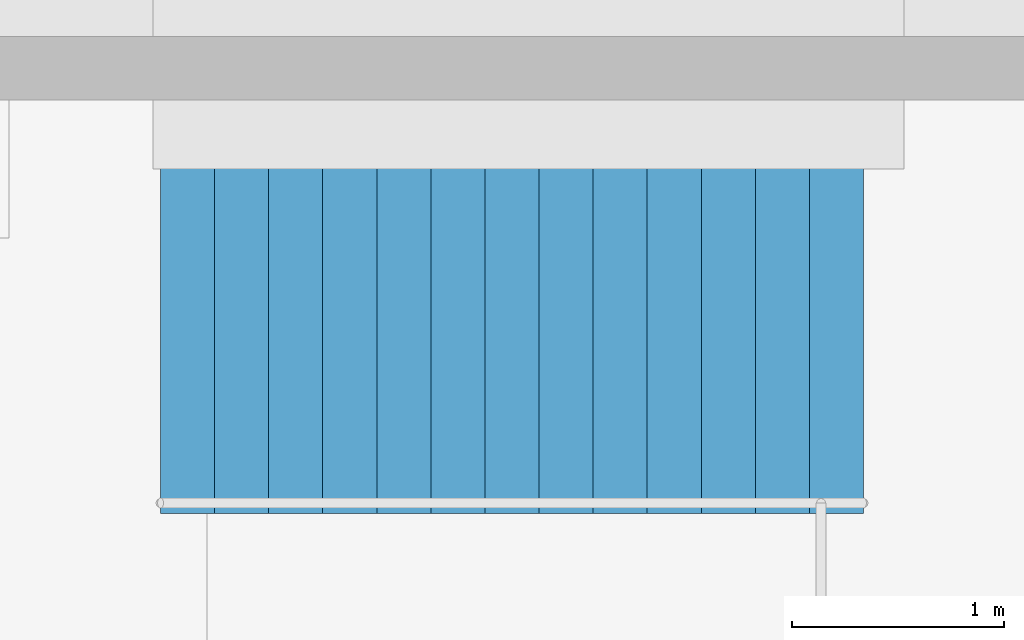
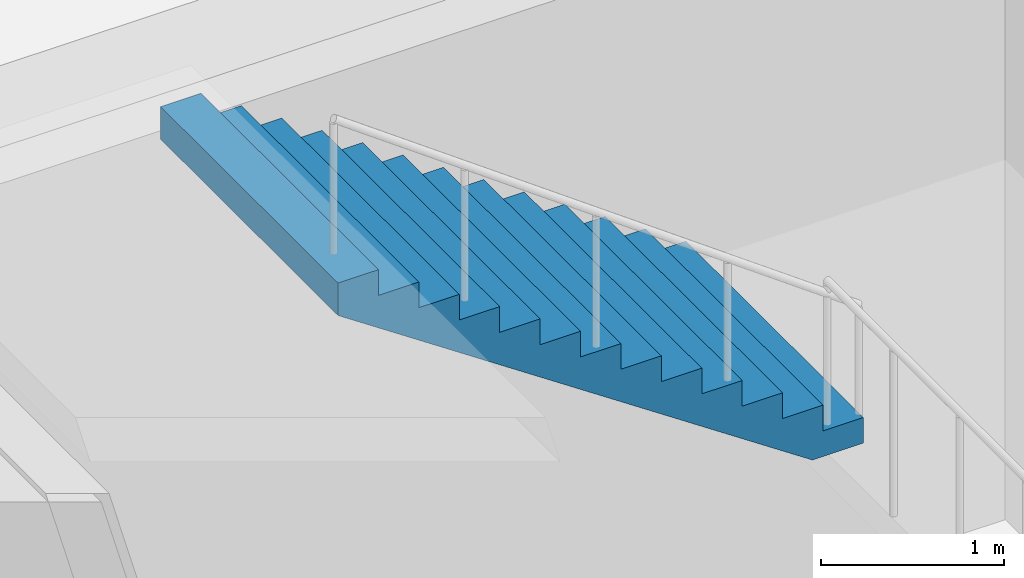
# One storey, part 33 of 36: 1 stair flight, 1 element without a shape of its own.
"""IFC4 building model written with IfcOpenShell, lengths in metres."""

from ifc_helpers import new_model, si_unit, direction, frame, origin, place, context, subcontext, project, spatial, polyline, outline, extrude, material, type_object, element, aggregate, save


model = new_model("IFC4")

# Units and contexts
model_context = context("Model", 3, precision=1e-05, world=origin(), true_north=direction((0.0, 1.0)))
body_context = subcontext(model_context, "Body", "Model", "MODEL_VIEW")
ifc_project = project(units=[si_unit("LENGTHUNIT", "METRE"), si_unit("AREAUNIT", "SQUARE_METRE"), si_unit("VOLUMEUNIT", "CUBIC_METRE"), si_unit("PLANEANGLEUNIT", "RADIAN"), si_unit("MASSUNIT", "GRAM", prefix="KILO")], contexts=[model_context])

# Site, building, storey
site_placement = place(None, origin())
site = spatial("IfcSite", under=ifc_project, at=site_placement, CompositionType="ELEMENT")
building_placement = place(site_placement, origin())
building = spatial("IfcBuilding", under=site, at=building_placement, Name="Tazarka Park Arena", CompositionType="ELEMENT")
storey_placement = place(building_placement, frame((0.0, 0.0, -4.800048828125)))
storey = spatial("IfcBuildingStorey", under=building, at=storey_placement, Name="B1", CompositionType="ELEMENT", Elevation=-4.800048828125)

# Stair, stair flight
ifc_material_1 = material(Name="Precast concrete C40/50", Category="concrete")
stair_type = type_object("IfcStairType", Name="STR-2400", PredefinedType="HALF_TURN_STAIR", material=ifc_material_1)
stair_placement = place(storey_placement, origin())
stair = element("IfcStair", 1, at=stair_placement, inside=storey, type_object=stair_type, Name="Stair ST18 B1", PredefinedType="HALF_TURN_STAIR")
ifc_material_2 = material(Name="Precast concrete C40/50", Category="concrete")
stair_flight_type = type_object("IfcStairFlightType", Name="FLT-1350", PredefinedType="STRAIGHT", material=ifc_material_2)
stair_flight_placement = place(storey_placement, frame((149.6298828125, 70.3701171875, 2.400146484375), z_axis=(0.0, 0.0, 1.0), x_axis=(-1.0, 0.0, 0.0)))
stair_flight = element("IfcStairFlight", 2, at=stair_flight_placement, type_object=stair_flight_type, Name="ST18-B1 flight 2", NumberOfRisers=14, NumberOfTreads=13, PredefinedType="STRAIGHT", RiserHeight=0.171429, TreadLength=0.255, context=body_context, shape_type="SweptSolid", body=[
    extrude(outline(polyline([(0.0, 0.0), (0.0, 0.17138671875), (0.2548828125, 0.17138671875), (0.2548828125, 0.3427734375), (0.510009765625, 0.3427734375), (0.510009765625, 0.514404296875), (0.764892578125, 0.514404296875), (0.764892578125, 0.685791015625), (1.02001953125, 0.685791015625), (1.02001953125, 0.857177734375), (1.27490234375, 0.857177734375), (1.27490234375, 1.028564453125), (1.530029296875, 1.028564453125), (1.530029296875, 1.199951171875), (1.784912109375, 1.199951171875), (1.784912109375, 1.371337890625), (2.0400390625, 1.371337890625), (2.0400390625, 1.54296875), (2.294921875, 1.54296875), (2.294921875, 1.71435546875), (2.550048828125, 1.71435546875), (2.550048828125, 1.8857421875), (2.804931640625, 1.8857421875), (2.804931640625, 2.05712890625), (3.06005859375, 2.05712890625), (3.06005859375, 2.228515625), (3.31494140625, 2.228515625), (3.31494140625, 2.39990234375), (3.31494140625, 2.01171875), (0.322509765625, 0.0), (0.0, 0.0)])), frame((0.0, 0.969970703125, 0.0), z_axis=(0.0, -1.0, 0.0), x_axis=(1.0, 0.0, 0.0)), (0.0, 0.0, 1.0), 1.93994140625),
])
aggregate(stair, [stair_flight])

save(model, "model.ifc")
